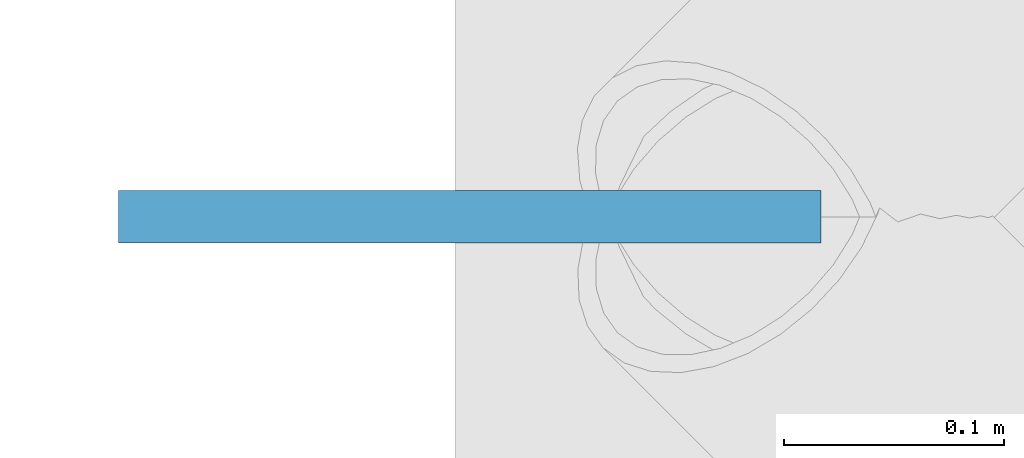
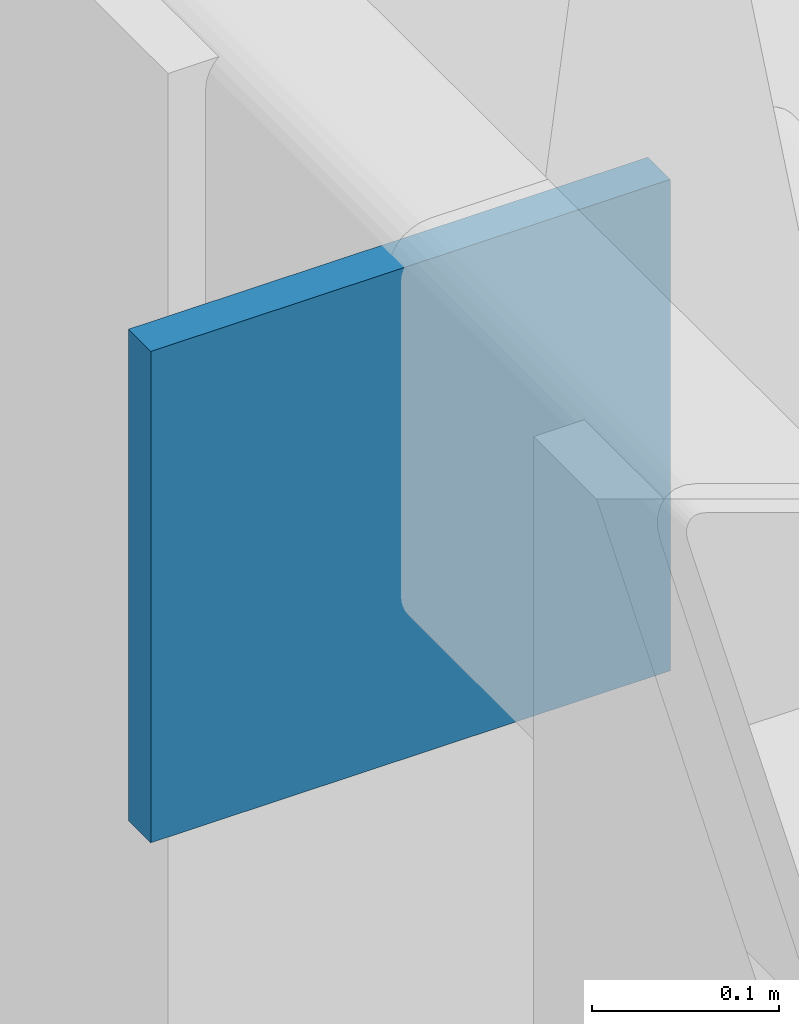
# One storey, part 57 of 70: 1 discrete accessory.
"""IFC4 building model written with IfcOpenShell, lengths in metres."""

from ifc_helpers import new_model, si_unit, direction, frame, origin, origin_2d, place, context, subcontext, project, spatial, rectangle, extrude, material, type_object, element, save


model = new_model("IFC4")

# Units and contexts
model_context = context("Model", 3, precision=1e-05, world=origin(), true_north=direction((0.0, 1.0)))
body_context = subcontext(model_context, "Body", "Model", "MODEL_VIEW")
ifc_project = project(units=[si_unit("LENGTHUNIT", "METRE"), si_unit("AREAUNIT", "SQUARE_METRE"), si_unit("VOLUMEUNIT", "CUBIC_METRE"), si_unit("PLANEANGLEUNIT", "RADIAN"), si_unit("MASSUNIT", "GRAM", prefix="KILO")], contexts=[model_context])

# Site, building, storey
site_placement = place(None, origin())
site = spatial("IfcSite", under=ifc_project, at=site_placement, CompositionType="ELEMENT")
building_placement = place(site_placement, origin())
building = spatial("IfcBuilding", under=site, at=building_placement, Name="Vaudrelin Polytechnic", CompositionType="ELEMENT")
storey_placement = place(building_placement, frame((0.0, 0.0, 14.110107421875)))
storey = spatial("IfcBuildingStorey", under=building, at=storey_placement, Name="L03", CompositionType="ELEMENT", Elevation=14.110107421875)

# Discrete accessory
ifc_material = material(Name="Steel CSA G40.21 350WT", Category="steel")
discrete_accessory_type = type_object("IfcDiscreteAccessoryType", Name="ACC-CPL-01", PredefinedType="BRACKET", material=ifc_material)
discrete_accessory_placement = place(storey_placement, frame((-0.1201171875, 48.60009765625, 4.29541015625), z_axis=(0.0, 0.0, 1.0), x_axis=(1.0, 0.0, 0.0)))
element("IfcDiscreteAccessory", 1, at=discrete_accessory_placement, inside=storey, type_object=discrete_accessory_type, Name="Brace end connection plate CPL-039", PredefinedType="BRACKET", context=body_context, shape_type="SweptSolid", body=[
    extrude(rectangle(XDim=0.320068359375, YDim=0.02392578125, at=origin_2d()), origin(), (0.0, 0.0, 1.0), 0.320068359375),
])

save(model, "model.ifc")
